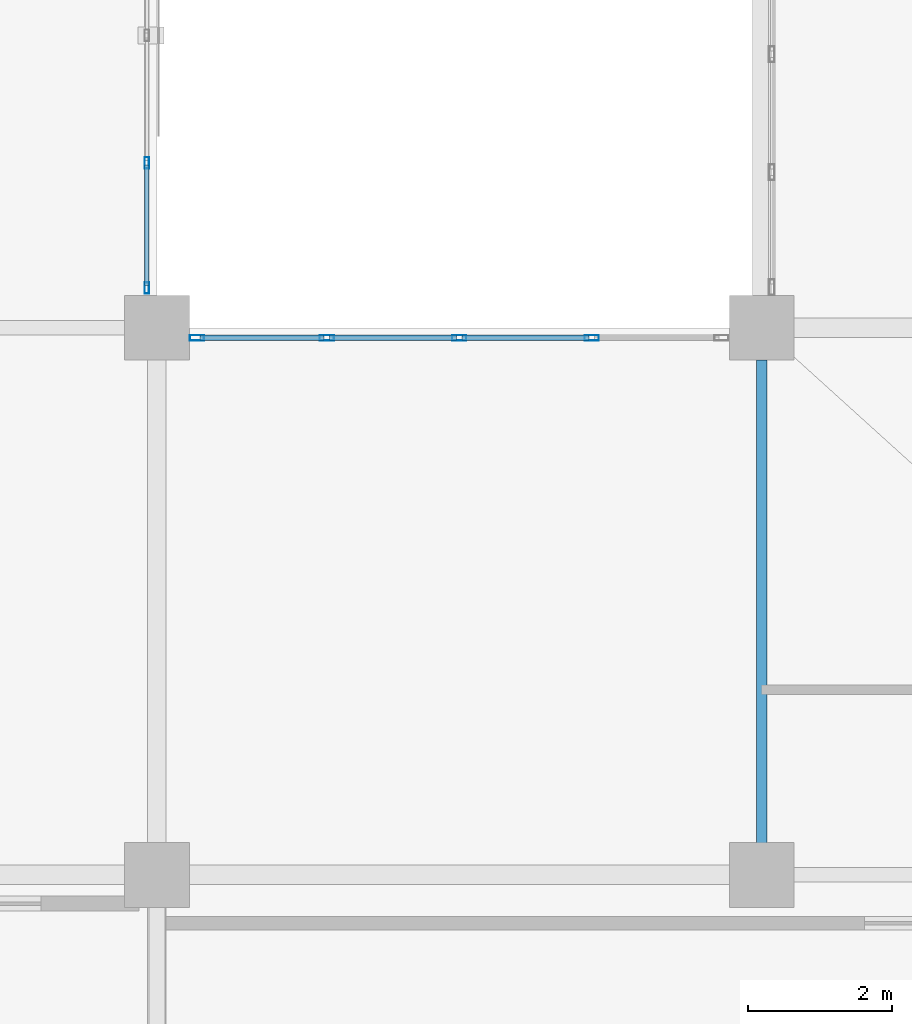
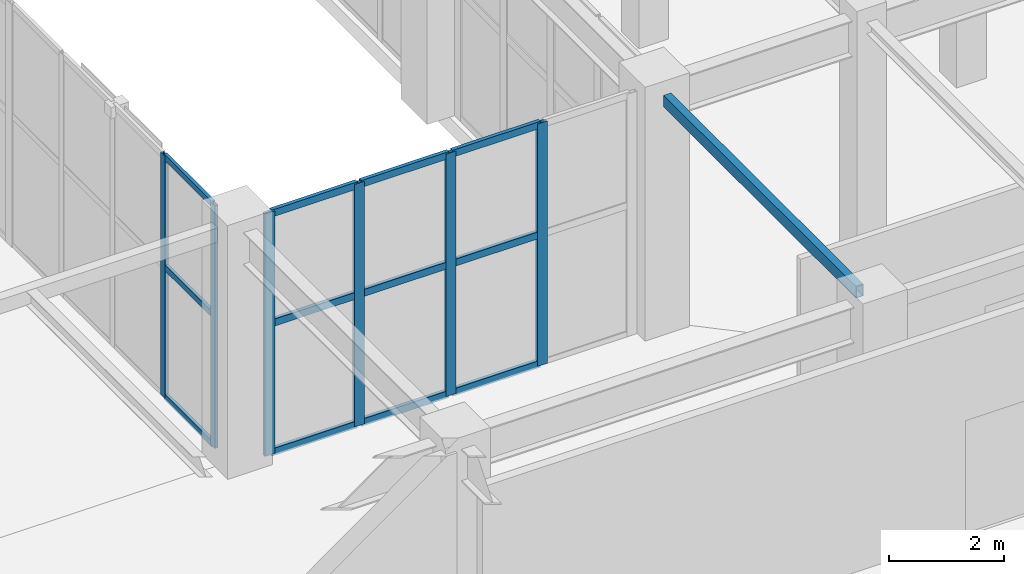
# One storey, part 22 of 139: 18 members, 1 beam, 2 elements without a shape of their own.
"""IFC4 building model written with IfcOpenShell, lengths in metres."""

from ifc_helpers import new_model, si_unit, direction, frame, origin, origin_2d, place, context, subcontext, project, spatial, hollow_rectangle, extrude, material, layer, layer_set, material_profile, profile_set, type_object, element, aggregate, save


model = new_model("IFC4")

# Units and contexts
model_context = context("Model", 3, precision=1e-05, world=origin(), true_north=direction((0.0, 1.0)))
body_context = subcontext(model_context, "Body", "Model", "MODEL_VIEW")
ifc_project = project(units=[si_unit("LENGTHUNIT", "METRE"), si_unit("AREAUNIT", "SQUARE_METRE"), si_unit("VOLUMEUNIT", "CUBIC_METRE"), si_unit("PLANEANGLEUNIT", "RADIAN"), si_unit("MASSUNIT", "GRAM", prefix="KILO")], contexts=[model_context])

# Site, building, storey
site_placement = place(None, origin())
site = spatial("IfcSite", under=ifc_project, at=site_placement, CompositionType="ELEMENT")
building_placement = place(site_placement, origin())
building = spatial("IfcBuilding", under=site, at=building_placement, Name="Xicomal Pleat Aquarium", CompositionType="ELEMENT")
storey_placement = place(building_placement, origin())
storey = spatial("IfcBuildingStorey", under=building, at=storey_placement, Name="L01", CompositionType="ELEMENT", Elevation=0.0)

# Beam
ifc_material_1 = material(Name="Structural steel A500 Gr C", Category="steel")
ifc_material_profile_1 = material_profile(ifc_material_1, hollow_rectangle(XDim=0.14990234375, YDim=0.25, WallThickness=0.010009765625, at=origin_2d()), Name="OR 250x150x10")
ifc_profile_set_1 = profile_set([ifc_material_profile_1], Name="Structural steel A500 Gr C")
beam_type = type_object("IfcBeamType", Name="BM-STL-OR250", PredefinedType="SPANDREL", material=ifc_profile_set_1)
beam_placement = place(storey_placement, frame((43.800048828125, 30.844970703125, 4.97509765625), z_axis=(0.0, 1.0, 0.0), x_axis=(-1.0, 0.0, 0.0)))
element("IfcBeam", 1, at=beam_placement, inside=storey, type_object=beam_type, Name="L01 framing beam FGY-L01-06-E-F", PredefinedType="SPANDREL", context=body_context, shape_type="SweptSolid", body=[
    extrude(hollow_rectangle(XDim=0.14990234375, YDim=0.25, WallThickness=0.010009765625, at=origin_2d()), origin(), (0.0, 0.0, 1.0), 6.7099609375),
])

# Curtain wall, members
ifc_material_2 = material(Name="Bronze anodized aluminium 6063-T6", Category="aluminium")
ifc_layer_1 = layer(ifc_material_2, 0.159912109375)
ifc_layer_set_1 = layer_set([ifc_layer_1], Name="Bronze anodized aluminium 6063-T6")
curtain_wall_type_1 = type_object("IfcCurtainWallType", Name="CW-SYS-01", PredefinedType="NOTDEFINED", material=ifc_layer_set_1)
curtain_wall_1_placement = place(storey_placement, origin())
curtain_wall_1 = element("IfcCurtainWall", 2, at=curtain_wall_1_placement, inside=storey, type_object=curtain_wall_type_1, Name="L01 unitised curtain wall CW-L01-027", PredefinedType="NOTDEFINED")
ifc_material_3 = material(Name="Bronze anodized aluminium 6063-T6", Category="aluminium")
ifc_material_profile_2 = material_profile(ifc_material_3, hollow_rectangle(XDim=0.06494140625, YDim=0.159912109375, WallThickness=0.00390625, at=origin_2d()), Name="ALU MULL 65x160")
ifc_profile_set_2 = profile_set([ifc_material_profile_2], Name="Bronze anodized aluminium 6063-T6")
member_type_1 = type_object("IfcMemberType", Name="CWM-65x160", PredefinedType="MULLION", material=ifc_profile_set_2)
member_1_placement = place(storey_placement, frame((35.260009765625, 40.2900390625, 0.0), z_axis=(0.0, 0.0, 1.0), x_axis=(1.0, 0.0, 0.0)))
member_1 = element("IfcMember", 3, at=member_1_placement, type_object=member_type_1, Name="CW-01 mullion 4", PredefinedType="MULLION", context=body_context, shape_type="SweptSolid", body=[
    extrude(hollow_rectangle(XDim=0.06494140625, YDim=0.159912109375, WallThickness=0.00390625, at=origin_2d()), origin(), (0.0, 0.0, 1.0), 5.159912109375),
])
member_2_placement = place(storey_placement, frame((35.260009765625, 38.552490234375, 0.0), z_axis=(0.0, 0.0, 1.0), x_axis=(1.0, 0.0, 0.0)))
member_2 = element("IfcMember", 4, at=member_2_placement, type_object=member_type_1, Name="CW-01 mullion 5", PredefinedType="MULLION", context=body_context, shape_type="SweptSolid", body=[
    extrude(hollow_rectangle(XDim=0.06494140625, YDim=0.159912109375, WallThickness=0.00390625, at=origin_2d()), origin(), (0.0, 0.0, 1.0), 5.159912109375),
])

ifc_material_4 = material(Name="Bronze anodized aluminium 6063-T6", Category="aluminium")
ifc_layer_2 = layer(ifc_material_4, 0.159912109375)
ifc_layer_set_2 = layer_set([ifc_layer_2], Name="Bronze anodized aluminium 6063-T6")
curtain_wall_type_2 = type_object("IfcCurtainWallType", Name="CW-SYS-06", PredefinedType="NOTDEFINED", material=ifc_layer_set_2)
curtain_wall_2_placement = place(storey_placement, origin())
curtain_wall_2 = element("IfcCurtainWall", 5, at=curtain_wall_2_placement, inside=storey, type_object=curtain_wall_type_2, Name="L01 unitised curtain wall CW-L01-028", PredefinedType="NOTDEFINED")
ifc_material_5 = material(Name="Bronze anodized aluminium 6063-T6", Category="aluminium")
ifc_material_profile_3 = material_profile(ifc_material_5, hollow_rectangle(XDim=0.074951171875, YDim=0.199951171875, WallThickness=0.00439453125, at=origin_2d()), Name="ALU MULL 75x200")
ifc_profile_set_3 = profile_set([ifc_material_profile_3], Name="Bronze anodized aluminium 6063-T6")
member_type_2 = type_object("IfcMemberType", Name="CWM-75x200", PredefinedType="MULLION", material=ifc_profile_set_3)
member_3_placement = place(storey_placement, frame((35.95751953125, 37.860107421875, 0.0), z_axis=(0.0, 0.0, 1.0), x_axis=(0.0, 1.0, 0.0)))
member_3 = element("IfcMember", 6, at=member_3_placement, type_object=member_type_2, Name="CW-06 mullion 1", PredefinedType="MULLION", context=body_context, shape_type="SweptSolid", body=[
    extrude(hollow_rectangle(XDim=0.074951171875, YDim=0.199951171875, WallThickness=0.00439453125, at=origin_2d()), origin(), (0.0, 0.0, 1.0), 5.159912109375),
])
member_4_placement = place(storey_placement, frame((37.760009765625, 37.860107421875, 0.0), z_axis=(0.0, 0.0, 1.0), x_axis=(0.0, 1.0, 0.0)))
member_4 = element("IfcMember", 7, at=member_4_placement, type_object=member_type_2, Name="CW-06 mullion 2", PredefinedType="MULLION", context=body_context, shape_type="SweptSolid", body=[
    extrude(hollow_rectangle(XDim=0.074951171875, YDim=0.199951171875, WallThickness=0.00439453125, at=origin_2d()), origin(), (0.0, 0.0, 1.0), 5.159912109375),
])
member_5_placement = place(storey_placement, frame((39.60009765625, 37.860107421875, 0.0), z_axis=(0.0, 0.0, 1.0), x_axis=(0.0, 1.0, 0.0)))
member_5 = element("IfcMember", 8, at=member_5_placement, type_object=member_type_2, Name="CW-06 mullion 3", PredefinedType="MULLION", context=body_context, shape_type="SweptSolid", body=[
    extrude(hollow_rectangle(XDim=0.074951171875, YDim=0.199951171875, WallThickness=0.00439453125, at=origin_2d()), origin(), (0.0, 0.0, 1.0), 5.159912109375),
])
member_6_placement = place(storey_placement, frame((41.43994140625, 37.860107421875, 0.0), z_axis=(0.0, 0.0, 1.0), x_axis=(0.0, 1.0, 0.0)))
member_6 = element("IfcMember", 9, at=member_6_placement, type_object=member_type_2, Name="CW-06 mullion 4", PredefinedType="MULLION", context=body_context, shape_type="SweptSolid", body=[
    extrude(hollow_rectangle(XDim=0.074951171875, YDim=0.199951171875, WallThickness=0.00439453125, at=origin_2d()), origin(), (0.0, 0.0, 1.0), 5.159912109375),
])

# Member
ifc_material_6 = material(Name="Bronze anodized aluminium 6063-T6", Category="aluminium")
ifc_material_profile_4 = material_profile(ifc_material_6, hollow_rectangle(XDim=0.06494140625, YDim=0.1298828125, WallThickness=0.00390625, at=origin_2d()), Name="ALU TRAN 65x130")
ifc_profile_set_4 = profile_set([ifc_material_profile_4], Name="Bronze anodized aluminium 6063-T6")
member_type_3 = type_object("IfcMemberType", Name="CWT-65x130", PredefinedType="USERDEFINED", material=ifc_profile_set_4)
member_7_placement = place(storey_placement, frame((35.260009765625, 40.257568359375, 0.032470703125), z_axis=(0.0, -1.0, 0.0), x_axis=(1.0, 0.0, 0.0)))
member_7 = element("IfcMember", 10, at=member_7_placement, type_object=member_type_3, Name="CW-01 transom 4.1", ObjectType="TRANSOM", PredefinedType="USERDEFINED", context=body_context, shape_type="SweptSolid", body=[
    extrude(hollow_rectangle(XDim=0.06494140625, YDim=0.1298828125, WallThickness=0.00390625, at=origin_2d()), origin(), (0.0, 0.0, 1.0), 1.672607421875),
])

member_8_placement = place(storey_placement, frame((35.260009765625, 40.257568359375, 2.785888671875), z_axis=(0.0, -1.0, 0.0), x_axis=(1.0, 0.0, 0.0)))
member_8 = element("IfcMember", 11, at=member_8_placement, type_object=member_type_3, Name="CW-01 transom 4.2", ObjectType="TRANSOM", PredefinedType="USERDEFINED", context=body_context, shape_type="SweptSolid", body=[
    extrude(hollow_rectangle(XDim=0.06494140625, YDim=0.1298828125, WallThickness=0.00390625, at=origin_2d()), origin(), (0.0, 0.0, 1.0), 1.672607421875),
])

member_9_placement = place(storey_placement, frame((35.260009765625, 40.257568359375, 5.12744140625), z_axis=(0.0, -1.0, 0.0), x_axis=(1.0, 0.0, 0.0)))
member_9 = element("IfcMember", 12, at=member_9_placement, type_object=member_type_3, Name="CW-01 transom 4.3", ObjectType="TRANSOM", PredefinedType="USERDEFINED", context=body_context, shape_type="SweptSolid", body=[
    extrude(hollow_rectangle(XDim=0.06494140625, YDim=0.1298828125, WallThickness=0.00390625, at=origin_2d()), origin(), (0.0, 0.0, 1.0), 1.672607421875),
])

aggregate(curtain_wall_1, [member_1, member_2, member_7, member_8, member_9])

ifc_material_7 = material(Name="Bronze anodized aluminium 6063-T6", Category="aluminium")
ifc_material_profile_5 = material_profile(ifc_material_7, hollow_rectangle(XDim=0.074951171875, YDim=0.14990234375, WallThickness=0.00439453125, at=origin_2d()), Name="ALU TRAN 75x150")
ifc_profile_set_5 = profile_set([ifc_material_profile_5], Name="Bronze anodized aluminium 6063-T6")
member_type_4 = type_object("IfcMemberType", Name="CWT-75x150", PredefinedType="USERDEFINED", material=ifc_profile_set_5)
member_10_placement = place(storey_placement, frame((35.9951171875, 37.860107421875, 0.03759765625), z_axis=(1.0, 0.0, 0.0), x_axis=(0.0, 1.0, 0.0)))
member_10 = element("IfcMember", 13, at=member_10_placement, type_object=member_type_4, Name="CW-06 transom 1.1", ObjectType="TRANSOM", PredefinedType="USERDEFINED", context=body_context, shape_type="SweptSolid", body=[
    extrude(hollow_rectangle(XDim=0.074951171875, YDim=0.14990234375, WallThickness=0.00439453125, at=origin_2d()), origin(), (0.0, 0.0, 1.0), 1.727294921875),
])

member_11_placement = place(storey_placement, frame((35.9951171875, 37.860107421875, 2.785888671875), z_axis=(1.0, 0.0, 0.0), x_axis=(0.0, 1.0, 0.0)))
member_11 = element("IfcMember", 14, at=member_11_placement, type_object=member_type_4, Name="CW-06 transom 1.2", ObjectType="TRANSOM", PredefinedType="USERDEFINED", context=body_context, shape_type="SweptSolid", body=[
    extrude(hollow_rectangle(XDim=0.074951171875, YDim=0.14990234375, WallThickness=0.00439453125, at=origin_2d()), origin(), (0.0, 0.0, 1.0), 1.727294921875),
])

member_12_placement = place(storey_placement, frame((35.9951171875, 37.860107421875, 5.12255859375), z_axis=(1.0, 0.0, 0.0), x_axis=(0.0, 1.0, 0.0)))
member_12 = element("IfcMember", 15, at=member_12_placement, type_object=member_type_4, Name="CW-06 transom 1.3", ObjectType="TRANSOM", PredefinedType="USERDEFINED", context=body_context, shape_type="SweptSolid", body=[
    extrude(hollow_rectangle(XDim=0.074951171875, YDim=0.14990234375, WallThickness=0.00439453125, at=origin_2d()), origin(), (0.0, 0.0, 1.0), 1.727294921875),
])

member_13_placement = place(storey_placement, frame((37.797607421875, 37.860107421875, 0.03759765625), z_axis=(1.0, 0.0, 0.0), x_axis=(0.0, 1.0, 0.0)))
member_13 = element("IfcMember", 16, at=member_13_placement, type_object=member_type_4, Name="CW-06 transom 2.1", ObjectType="TRANSOM", PredefinedType="USERDEFINED", context=body_context, shape_type="SweptSolid", body=[
    extrude(hollow_rectangle(XDim=0.074951171875, YDim=0.14990234375, WallThickness=0.00439453125, at=origin_2d()), origin(), (0.0, 0.0, 1.0), 1.764892578125),
])

member_14_placement = place(storey_placement, frame((37.797607421875, 37.860107421875, 2.785888671875), z_axis=(1.0, 0.0, 0.0), x_axis=(0.0, 1.0, 0.0)))
member_14 = element("IfcMember", 17, at=member_14_placement, type_object=member_type_4, Name="CW-06 transom 2.2", ObjectType="TRANSOM", PredefinedType="USERDEFINED", context=body_context, shape_type="SweptSolid", body=[
    extrude(hollow_rectangle(XDim=0.074951171875, YDim=0.14990234375, WallThickness=0.00439453125, at=origin_2d()), origin(), (0.0, 0.0, 1.0), 1.764892578125),
])

member_15_placement = place(storey_placement, frame((37.797607421875, 37.860107421875, 5.12255859375), z_axis=(1.0, 0.0, 0.0), x_axis=(0.0, 1.0, 0.0)))
member_15 = element("IfcMember", 18, at=member_15_placement, type_object=member_type_4, Name="CW-06 transom 2.3", ObjectType="TRANSOM", PredefinedType="USERDEFINED", context=body_context, shape_type="SweptSolid", body=[
    extrude(hollow_rectangle(XDim=0.074951171875, YDim=0.14990234375, WallThickness=0.00439453125, at=origin_2d()), origin(), (0.0, 0.0, 1.0), 1.764892578125),
])

member_16_placement = place(storey_placement, frame((39.637451171875, 37.860107421875, 0.03759765625), z_axis=(1.0, 0.0, 0.0), x_axis=(0.0, 1.0, 0.0)))
member_16 = element("IfcMember", 19, at=member_16_placement, type_object=member_type_4, Name="CW-06 transom 3.1", ObjectType="TRANSOM", PredefinedType="USERDEFINED", context=body_context, shape_type="SweptSolid", body=[
    extrude(hollow_rectangle(XDim=0.074951171875, YDim=0.14990234375, WallThickness=0.00439453125, at=origin_2d()), origin(), (0.0, 0.0, 1.0), 1.76513671875),
])

member_17_placement = place(storey_placement, frame((39.637451171875, 37.860107421875, 2.785888671875), z_axis=(1.0, 0.0, 0.0), x_axis=(0.0, 1.0, 0.0)))
member_17 = element("IfcMember", 20, at=member_17_placement, type_object=member_type_4, Name="CW-06 transom 3.2", ObjectType="TRANSOM", PredefinedType="USERDEFINED", context=body_context, shape_type="SweptSolid", body=[
    extrude(hollow_rectangle(XDim=0.074951171875, YDim=0.14990234375, WallThickness=0.00439453125, at=origin_2d()), origin(), (0.0, 0.0, 1.0), 1.76513671875),
])

member_18_placement = place(storey_placement, frame((39.637451171875, 37.860107421875, 5.12255859375), z_axis=(1.0, 0.0, 0.0), x_axis=(0.0, 1.0, 0.0)))
member_18 = element("IfcMember", 21, at=member_18_placement, type_object=member_type_4, Name="CW-06 transom 3.3", ObjectType="TRANSOM", PredefinedType="USERDEFINED", context=body_context, shape_type="SweptSolid", body=[
    extrude(hollow_rectangle(XDim=0.074951171875, YDim=0.14990234375, WallThickness=0.00439453125, at=origin_2d()), origin(), (0.0, 0.0, 1.0), 1.76513671875),
])

aggregate(curtain_wall_2, [member_3, member_4, member_5, member_6, member_10, member_11, member_12, member_13, member_14, member_15, member_16, member_17, member_18])

save(model, "model.ifc")
